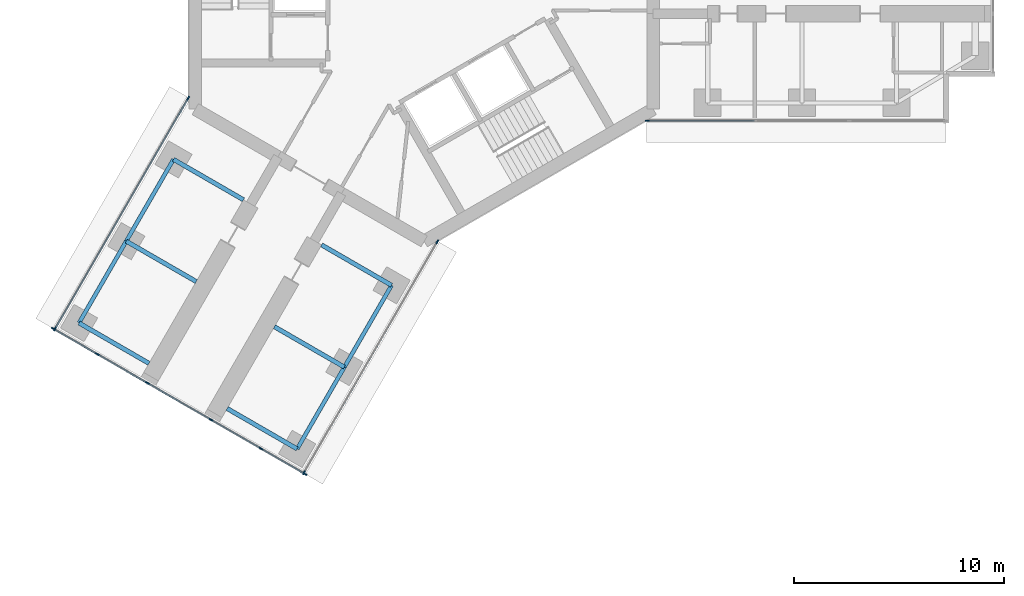
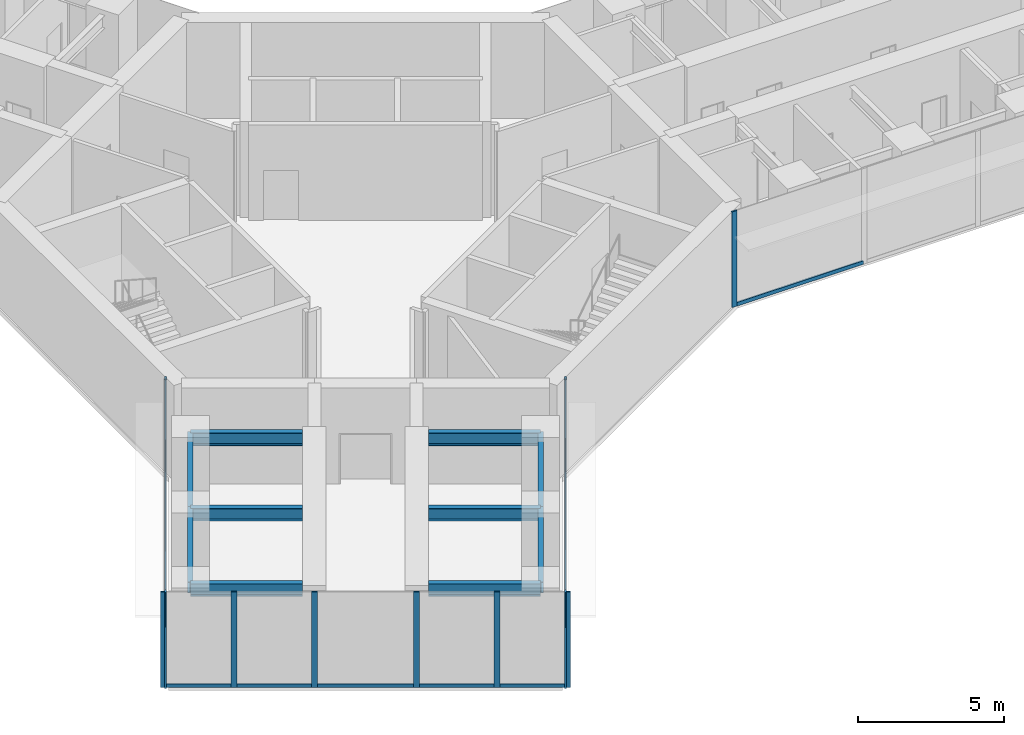
# One storey, part 2 of 22: 19 members, 10 beams, 4 elements without a shape of their own.
"""IFC4 building model written with IfcOpenShell, lengths in metres."""

from ifc_helpers import new_model, si_unit, direction, frame, origin, origin_2d, place, context, subcontext, project, spatial, rectangle, i_section, extrude, material, material_profile, profile_set, type_object, element, aggregate, save


model = new_model("IFC4")

# Units and contexts
model_context = context("Model", 3, precision=1e-05, world=origin(), true_north=direction((0.0, 1.0)))
body_context = subcontext(model_context, "Body", "Model", "MODEL_VIEW")
ifc_project = project(units=[si_unit("LENGTHUNIT", "METRE"), si_unit("AREAUNIT", "SQUARE_METRE"), si_unit("VOLUMEUNIT", "CUBIC_METRE"), si_unit("PLANEANGLEUNIT", "RADIAN"), si_unit("MASSUNIT", "GRAM", prefix="KILO")], contexts=[model_context])

# Site, building, storey
site_placement = place(None, origin())
site = spatial("IfcSite", under=ifc_project, at=site_placement, CompositionType="ELEMENT")
building_placement = place(site_placement, origin())
building = spatial("IfcBuilding", under=site, at=building_placement, Name="Upepo Twin Towers", CompositionType="ELEMENT")
storey_placement = place(building_placement, frame((0.0, 0.0, 129.5)))
storey = spatial("IfcBuildingStorey", under=building, at=storey_placement, Name="L31", CompositionType="ELEMENT", Elevation=129.5)

# Beams
ifc_material_1 = material(Name="Steel S355", Category="steel")
ifc_material_profile_1 = material_profile(ifc_material_1, i_section(OverallWidth=0.1904296875, OverallDepth=0.45703125, WebThickness=0.009033203125, FlangeThickness=0.014404296875, FilletRadius=0.01025390625, at=origin_2d()), Name="UB 457x191x74")
ifc_profile_set_1 = profile_set([ifc_material_profile_1], Name="Steel S355")
beam_type_1 = type_object("IfcBeamType", Name="Beam UB 457x191x74", PredefinedType="BEAM", material=ifc_profile_set_1)
beam_1_placement = place(storey_placement, frame((-1.553955078125, -14.69140625, 3.571533203125), z_axis=(-0.500013631625, -0.866017533419, 0.0), x_axis=(0.866017533419, -0.500013631625, 0.0)))
element("IfcBeam", 1, at=beam_1_placement, inside=storey, type_object=beam_type_1, Name="T1 edge beam CL 13.5-18.0", PredefinedType="BEAM", context=body_context, shape_type="SweptSolid", body=[
    extrude(i_section(OverallWidth=0.1904296875, OverallDepth=0.45703125, WebThickness=0.009033203125, FlangeThickness=0.014404296875, FilletRadius=0.01025390625, at=origin_2d()), origin(), (0.0, 0.0, 1.0), 4.499755859375),
])
beam_2_placement = place(storey_placement, frame((-3.803955078125, -18.58837890625, 3.571533203125), z_axis=(-0.499990139034, -0.866031096941, 0.0), x_axis=(0.866031096941, -0.499990139034, 0.0)))
element("IfcBeam", 2, at=beam_2_placement, inside=storey, type_object=beam_type_1, Name="T1 edge beam CL 18.0-22.5", PredefinedType="BEAM", context=body_context, shape_type="SweptSolid", body=[
    extrude(i_section(OverallWidth=0.1904296875, OverallDepth=0.45703125, WebThickness=0.009033203125, FlangeThickness=0.014404296875, FilletRadius=0.01025390625, at=origin_2d()), origin(), (0.0, 0.0, 1.0), 4.5),
])
beam_3_placement = place(storey_placement, frame((-11.946044921875, -8.69140625, 3.571533203125), z_axis=(-0.500013631625, -0.866017533419, 0.0), x_axis=(0.866017533419, -0.500013631625, 0.0)))
element("IfcBeam", 3, at=beam_3_placement, inside=storey, type_object=beam_type_1, Name="T1 edge beam CR 13.5-18.0", PredefinedType="BEAM", context=body_context, shape_type="SweptSolid", body=[
    extrude(i_section(OverallWidth=0.1904296875, OverallDepth=0.45703125, WebThickness=0.009033203125, FlangeThickness=0.014404296875, FilletRadius=0.01025390625, at=origin_2d()), origin(), (0.0, 0.0, 1.0), 4.499755859375),
])
beam_4_placement = place(storey_placement, frame((-14.196044921875, -12.58837890625, 3.571533203125), z_axis=(-0.499990139034, -0.866031096941, 0.0), x_axis=(0.866031096941, -0.499990139034, 0.0)))
element("IfcBeam", 4, at=beam_4_placement, inside=storey, type_object=beam_type_1, Name="T1 edge beam CR 18.0-22.5", PredefinedType="BEAM", context=body_context, shape_type="SweptSolid", body=[
    extrude(i_section(OverallWidth=0.1904296875, OverallDepth=0.45703125, WebThickness=0.009033203125, FlangeThickness=0.014404296875, FilletRadius=0.01025390625, at=origin_2d()), origin(), (0.0, 0.0, 1.0), 4.5),
])
ifc_material_2 = material(Name="Steel S355", Category="steel")
ifc_material_profile_2 = material_profile(ifc_material_2, i_section(OverallWidth=0.209228515625, OverallDepth=0.533203125, WebThickness=0.010009765625, FlangeThickness=0.015625, FilletRadius=0.0126953125, at=origin_2d()), Name="UB 533x210x92")
ifc_profile_set_2 = profile_set([ifc_material_profile_2], Name="Steel S355")
beam_type_2 = type_object("IfcBeamType", Name="Beam UB 533x210x92", PredefinedType="BEAM", material=ifc_profile_set_2)
beam_5_placement = place(storey_placement, frame((-1.553955078125, -14.69140625, 3.533447265625), z_axis=(-0.866006051527, 0.500033517596, 0.0), x_axis=(-0.500033517596, -0.866006051527, 0.0)))
element("IfcBeam", 5, at=beam_5_placement, inside=storey, type_object=beam_type_2, Name="T1 girder CL at 13.5", PredefinedType="BEAM", context=body_context, shape_type="SweptSolid", body=[
    extrude(i_section(OverallWidth=0.209228515625, OverallDepth=0.533203125, WebThickness=0.010009765625, FlangeThickness=0.015625, FilletRadius=0.0126953125, at=origin_2d()), origin(), (0.0, 0.0, 1.0), 3.849853515625),
])
beam_6_placement = place(storey_placement, frame((-3.803955078125, -18.58837890625, 3.533447265625), z_axis=(-0.866033512162, 0.499985955615, 0.0), x_axis=(-0.499985955615, -0.866033512162, 0.0)))
element("IfcBeam", 6, at=beam_6_placement, inside=storey, type_object=beam_type_2, Name="T1 girder CL at 18.0", PredefinedType="BEAM", context=body_context, shape_type="SweptSolid", body=[
    extrude(i_section(OverallWidth=0.209228515625, OverallDepth=0.533203125, WebThickness=0.010009765625, FlangeThickness=0.015625, FilletRadius=0.0126953125, at=origin_2d()), origin(), (0.0, 0.0, 1.0), 3.849609375),
])
for number, where, z_axis, x_axis, name in (
    (7, (-6.053955078125, -22.485595703125, 3.533447265625), (-0.866006051527, 0.500033517596, 0.0), (-0.500033517596, -0.866006051527, 0.0), "T1 girder CL at 22.5"),
    (8, (-11.946044921875, -8.69140625, 3.533447265625), (0.866006051527, -0.500033517596, 0.0), (0.500033517596, 0.866006051527, 0.0), "T1 girder CR at 13.5"),
    (9, (-14.196044921875, -12.58837890625, 3.533447265625), (0.866006051527, -0.500033517596, 0.0), (0.500033517596, 0.866006051527, 0.0), "T1 girder CR at 18.0"),
    (10, (-16.446044921875, -16.485595703125, 3.533447265625), (0.866006051527, -0.500033517596, 0.0), (0.500033517596, 0.866006051527, 0.0), "T1 girder CR at 22.5"),
):
    element("IfcBeam", number, at=place(storey_placement, frame(where, z_axis=z_axis, x_axis=x_axis)), inside=storey, type_object=beam_type_2, Name=name, PredefinedType="BEAM", context=body_context, shape_type="SweptSolid", body=[
        extrude(i_section(OverallWidth=0.209228515625, OverallDepth=0.533203125, WebThickness=0.010009765625, FlangeThickness=0.015625, FilletRadius=0.0126953125, at=origin_2d()), origin(), (0.0, 0.0, 1.0), 3.849853515625),
    ])

# Curtain wall, member
ifc_material_3 = material(Name="Aluminium and fritted glass", Category="aluminium")
curtain_wall_type = type_object("IfcCurtainWallType", Name="Tower curtain wall TW2, fritted glass", PredefinedType="NOTDEFINED", material=ifc_material_3)
curtain_wall_1_placement = place(storey_placement, origin())
curtain_wall_1 = element("IfcCurtainWall", 11, at=curtain_wall_1_placement, inside=storey, type_object=curtain_wall_type, Name="T1 L31 wing A flank R curtain wall", PredefinedType="NOTDEFINED")
ifc_material_4 = material(Name="Aluminium mullion", Category="aluminium")
ifc_material_profile_3 = material_profile(ifc_material_4, rectangle(XDim=0.06494140625, YDim=0.199951171875, at=origin_2d()), Name="MULLION 65x200")
ifc_profile_set_3 = profile_set([ifc_material_profile_3], Name="Aluminium mullion")
member_type_1 = type_object("IfcMemberType", Name="Mullion 65x200 TW2", PredefinedType="MULLION", material=ifc_profile_set_3)
member_1_placement = place(storey_placement, frame((10.61962890625, -6.85009765625, 0.0), z_axis=(0.0, 0.0, 1.0), x_axis=(0.0, -1.0, 0.0)))
member_1 = element("IfcMember", 12, at=member_1_placement, type_object=member_type_1, Name="T1 L31 wing A flank R curtain wall mullion 4", PredefinedType="MULLION", context=body_context, shape_type="SweptSolid", body=[
    extrude(rectangle(XDim=0.06494140625, YDim=0.199951171875, at=origin_2d()), origin(), (0.0, 0.0, 1.0), 4.0),
])

# Curtain wall, members
curtain_wall_2_placement = place(storey_placement, origin())
curtain_wall_2 = element("IfcCurtainWall", 13, at=curtain_wall_2_placement, inside=storey, type_object=curtain_wall_type, Name="T1 L31 wing C flank L curtain wall", PredefinedType="NOTDEFINED")
member_2_placement = place(storey_placement, frame((0.62255859375, -12.621826171875, 0.0), z_axis=(0.0, 0.0, 1.0), x_axis=(0.866025399212, -0.50000000792, 0.0)))
member_2 = element("IfcMember", 14, at=member_2_placement, type_object=member_type_1, Name="T1 L31 wing C flank L curtain wall mullion 1", PredefinedType="MULLION", context=body_context, shape_type="SweptSolid", body=[
    extrude(rectangle(XDim=0.06494140625, YDim=0.199951171875, at=origin_2d()), origin(), (0.0, 0.0, 1.0), 4.0),
])
member_3_placement = place(storey_placement, frame((-5.7265625, -23.61865234375, 0.0), z_axis=(0.0, 0.0, 1.0), x_axis=(0.866025399212, -0.50000000792, 0.0)))
member_3 = element("IfcMember", 15, at=member_3_placement, type_object=member_type_1, Name="T1 L31 wing C flank L curtain wall mullion 2", PredefinedType="MULLION", context=body_context, shape_type="SweptSolid", body=[
    extrude(rectangle(XDim=0.06494140625, YDim=0.199951171875, at=origin_2d()), origin(), (0.0, 0.0, 1.0), 4.0),
])

curtain_wall_3_placement = place(storey_placement, origin())
curtain_wall_3 = element("IfcCurtainWall", 16, at=curtain_wall_3_placement, inside=storey, type_object=curtain_wall_type, Name="T1 L31 wing C flank R curtain wall", PredefinedType="NOTDEFINED")
member_4_placement = place(storey_placement, frame((-17.591064453125, -16.7685546875, 0.0), z_axis=(0.0, 0.0, 1.0), x_axis=(-0.866025399212, 0.50000000792, 0.0)))
member_4 = element("IfcMember", 17, at=member_4_placement, type_object=member_type_1, Name="T1 L31 wing C flank R curtain wall mullion 1", PredefinedType="MULLION", context=body_context, shape_type="SweptSolid", body=[
    extrude(rectangle(XDim=0.06494140625, YDim=0.199951171875, at=origin_2d()), origin(), (0.0, 0.0, 1.0), 4.0),
])
member_5_placement = place(storey_placement, frame((-11.2421875, -5.77197265625, 0.0), z_axis=(0.0, 0.0, 1.0), x_axis=(-0.866025399212, 0.50000000792, 0.0)))
member_5 = element("IfcMember", 18, at=member_5_placement, type_object=member_type_1, Name="T1 L31 wing C flank R curtain wall mullion 2", PredefinedType="MULLION", context=body_context, shape_type="SweptSolid", body=[
    extrude(rectangle(XDim=0.06494140625, YDim=0.199951171875, at=origin_2d()), origin(), (0.0, 0.0, 1.0), 4.0),
])

curtain_wall_4_placement = place(storey_placement, origin())
curtain_wall_4 = element("IfcCurtainWall", 19, at=curtain_wall_4_placement, inside=storey, type_object=curtain_wall_type, Name="T1 L31 wing C nose curtain wall", PredefinedType="NOTDEFINED")
member_6_placement = place(storey_placement, frame((-17.665771484375, -16.762939453125, 0.0), z_axis=(0.0, 0.0, 1.0), x_axis=(0.499999972355, 0.866025419745, 0.0)))
member_6 = element("IfcMember", 20, at=member_6_placement, type_object=member_type_1, Name="T1 L31 wing C nose curtain wall mullion 1", PredefinedType="MULLION", context=body_context, shape_type="SweptSolid", body=[
    extrude(rectangle(XDim=0.06494140625, YDim=0.199951171875, at=origin_2d()), origin(), (0.0, 0.0, 1.0), 4.0),
])
member_7_placement = place(storey_placement, frame((-15.572021484375, -17.9716796875, 0.0), z_axis=(0.0, 0.0, 1.0), x_axis=(0.499999972355, 0.866025419745, 0.0)))
member_7 = element("IfcMember", 21, at=member_7_placement, type_object=member_type_1, Name="T1 L31 wing C nose curtain wall mullion 2", PredefinedType="MULLION", context=body_context, shape_type="SweptSolid", body=[
    extrude(rectangle(XDim=0.06494140625, YDim=0.199951171875, at=origin_2d()), origin(), (0.0, 0.0, 1.0), 4.0),
])
member_8_placement = place(storey_placement, frame((-13.1904296875, -19.3466796875, 0.0), z_axis=(0.0, 0.0, 1.0), x_axis=(0.499999972355, 0.866025419745, 0.0)))
member_8 = element("IfcMember", 22, at=member_8_placement, type_object=member_type_1, Name="T1 L31 wing C nose curtain wall mullion 3", PredefinedType="MULLION", context=body_context, shape_type="SweptSolid", body=[
    extrude(rectangle(XDim=0.06494140625, YDim=0.199951171875, at=origin_2d()), origin(), (0.0, 0.0, 1.0), 4.0),
])
member_9_placement = place(storey_placement, frame((-10.159423828125, -21.0966796875, 0.0), z_axis=(0.0, 0.0, 1.0), x_axis=(0.499999972355, 0.866025419745, 0.0)))
member_9 = element("IfcMember", 23, at=member_9_placement, type_object=member_type_1, Name="T1 L31 wing C nose curtain wall mullion 4", PredefinedType="MULLION", context=body_context, shape_type="SweptSolid", body=[
    extrude(rectangle(XDim=0.06494140625, YDim=0.199951171875, at=origin_2d()), origin(), (0.0, 0.0, 1.0), 4.0),
])
member_10_placement = place(storey_placement, frame((-7.77783203125, -22.4716796875, 0.0), z_axis=(0.0, 0.0, 1.0), x_axis=(0.499999972355, 0.866025419745, 0.0)))
member_10 = element("IfcMember", 24, at=member_10_placement, type_object=member_type_1, Name="T1 L31 wing C nose curtain wall mullion 5", PredefinedType="MULLION", context=body_context, shape_type="SweptSolid", body=[
    extrude(rectangle(XDim=0.06494140625, YDim=0.199951171875, at=origin_2d()), origin(), (0.0, 0.0, 1.0), 4.0),
])
member_11_placement = place(storey_placement, frame((-5.684326171875, -23.680419921875, 0.0), z_axis=(0.0, 0.0, 1.0), x_axis=(0.499999972355, 0.866025419745, 0.0)))
member_11 = element("IfcMember", 25, at=member_11_placement, type_object=member_type_1, Name="T1 L31 wing C nose curtain wall mullion 6", PredefinedType="MULLION", context=body_context, shape_type="SweptSolid", body=[
    extrude(rectangle(XDim=0.06494140625, YDim=0.199951171875, at=origin_2d()), origin(), (0.0, 0.0, 1.0), 4.0),
])

# Member
ifc_material_5 = material(Name="Aluminium transom", Category="aluminium")
ifc_material_profile_4 = material_profile(ifc_material_5, rectangle(XDim=0.06494140625, YDim=0.14990234375, at=origin_2d()), Name="TRANSOM 65x150")
ifc_profile_set_4 = profile_set([ifc_material_profile_4], Name="Aluminium transom")
member_type_2 = type_object("IfcMemberType", Name="Transom 65x150 TW2", PredefinedType="USERDEFINED", material=ifc_profile_set_4)
member_12_placement = place(storey_placement, frame((15.717529296875, -6.85009765625, 0.074951171875), z_axis=(-1.0, 0.0, 0.0), x_axis=(0.0, -1.0, 0.0)))
member_12 = element("IfcMember", 26, at=member_12_placement, type_object=member_type_2, Name="T1 L31 wing A flank R curtain wall transom 3", ObjectType="TRANSOM", PredefinedType="USERDEFINED", context=body_context, shape_type="SweptSolid", body=[
    extrude(rectangle(XDim=0.06494140625, YDim=0.14990234375, at=origin_2d()), origin(), (0.0, 0.0, 1.0), 5.0654296875),
])

aggregate(curtain_wall_1, [member_1, member_12])

member_13_placement = place(storey_placement, frame((0.606201171875, -12.64990234375, 0.074951171875), z_axis=(-0.499996807431, -0.866027247007, 0.0), x_axis=(0.866027247007, -0.499996807431, 0.0)))
member_13 = element("IfcMember", 27, at=member_13_placement, type_object=member_type_2, Name="T1 L31 wing C flank L curtain wall transom 1", ObjectType="TRANSOM", PredefinedType="USERDEFINED", context=body_context, shape_type="SweptSolid", body=[
    extrude(rectangle(XDim=0.06494140625, YDim=0.14990234375, at=origin_2d()), origin(), (0.0, 0.0, 1.0), 12.6328125),
])

aggregate(curtain_wall_2, [member_2, member_3, member_13])

member_14_placement = place(storey_placement, frame((-17.57470703125, -16.740478515625, 0.074951171875), z_axis=(0.499996807431, 0.866027247007, 0.0), x_axis=(-0.866027247007, 0.499996807431, 0.0)))
member_14 = element("IfcMember", 28, at=member_14_placement, type_object=member_type_2, Name="T1 L31 wing C flank R curtain wall transom 1", ObjectType="TRANSOM", PredefinedType="USERDEFINED", context=body_context, shape_type="SweptSolid", body=[
    extrude(rectangle(XDim=0.06494140625, YDim=0.14990234375, at=origin_2d()), origin(), (0.0, 0.0, 1.0), 12.6328125),
])

aggregate(curtain_wall_3, [member_4, member_5, member_14])

member_15_placement = place(storey_placement, frame((-17.6376953125, -16.779296875, 0.074951171875), z_axis=(0.866069800327, -0.499923095048, 0.0), x_axis=(0.499923095048, 0.866069800327, 0.0)))
member_15 = element("IfcMember", 29, at=member_15_placement, type_object=member_type_2, Name="T1 L31 wing C nose curtain wall transom 1", ObjectType="TRANSOM", PredefinedType="USERDEFINED", context=body_context, shape_type="SweptSolid", body=[
    extrude(rectangle(XDim=0.06494140625, YDim=0.14990234375, at=origin_2d()), origin(), (0.0, 0.0, 1.0), 2.352294921875),
])

member_16_placement = place(storey_placement, frame((-15.5439453125, -17.988037109375, 0.074951171875), z_axis=(0.8660523339, -0.49995335277, 0.0), x_axis=(0.49995335277, 0.8660523339, 0.0)))
member_16 = element("IfcMember", 30, at=member_16_placement, type_object=member_type_2, Name="T1 L31 wing C nose curtain wall transom 2", ObjectType="TRANSOM", PredefinedType="USERDEFINED", context=body_context, shape_type="SweptSolid", body=[
    extrude(rectangle(XDim=0.06494140625, YDim=0.14990234375, at=origin_2d()), origin(), (0.0, 0.0, 1.0), 2.684814453125),
])

member_17_placement = place(storey_placement, frame((-13.162353515625, -19.363037109375, 0.074951171875), z_axis=(0.866056579774, -0.499945997713, 0.0), x_axis=(0.499945997713, 0.866056579774, 0.0)))
member_17 = element("IfcMember", 31, at=member_17_placement, type_object=member_type_2, Name="T1 L31 wing C nose curtain wall transom 3", ObjectType="TRANSOM", PredefinedType="USERDEFINED", context=body_context, shape_type="SweptSolid", body=[
    extrude(rectangle(XDim=0.06494140625, YDim=0.14990234375, at=origin_2d()), origin(), (0.0, 0.0, 1.0), 3.43505859375),
])

member_18_placement = place(storey_placement, frame((-10.13134765625, -21.113037109375, 0.074951171875), z_axis=(0.8660523339, -0.49995335277, 0.0), x_axis=(0.49995335277, 0.8660523339, 0.0)))
member_18 = element("IfcMember", 32, at=member_18_placement, type_object=member_type_2, Name="T1 L31 wing C nose curtain wall transom 4", ObjectType="TRANSOM", PredefinedType="USERDEFINED", context=body_context, shape_type="SweptSolid", body=[
    extrude(rectangle(XDim=0.06494140625, YDim=0.14990234375, at=origin_2d()), origin(), (0.0, 0.0, 1.0), 2.684814453125),
])

member_19_placement = place(storey_placement, frame((-7.749755859375, -22.488037109375, 0.074951171875), z_axis=(0.866024864377, -0.50000093428, 0.0), x_axis=(0.50000093428, 0.866024864377, 0.0)))
member_19 = element("IfcMember", 33, at=member_19_placement, type_object=member_type_2, Name="T1 L31 wing C nose curtain wall transom 5", ObjectType="TRANSOM", PredefinedType="USERDEFINED", context=body_context, shape_type="SweptSolid", body=[
    extrude(rectangle(XDim=0.06494140625, YDim=0.14990234375, at=origin_2d()), origin(), (0.0, 0.0, 1.0), 2.3525390625),
])

aggregate(curtain_wall_4, [member_6, member_7, member_8, member_9, member_10, member_11, member_15, member_16, member_17, member_18, member_19])

save(model, "model.ifc")
